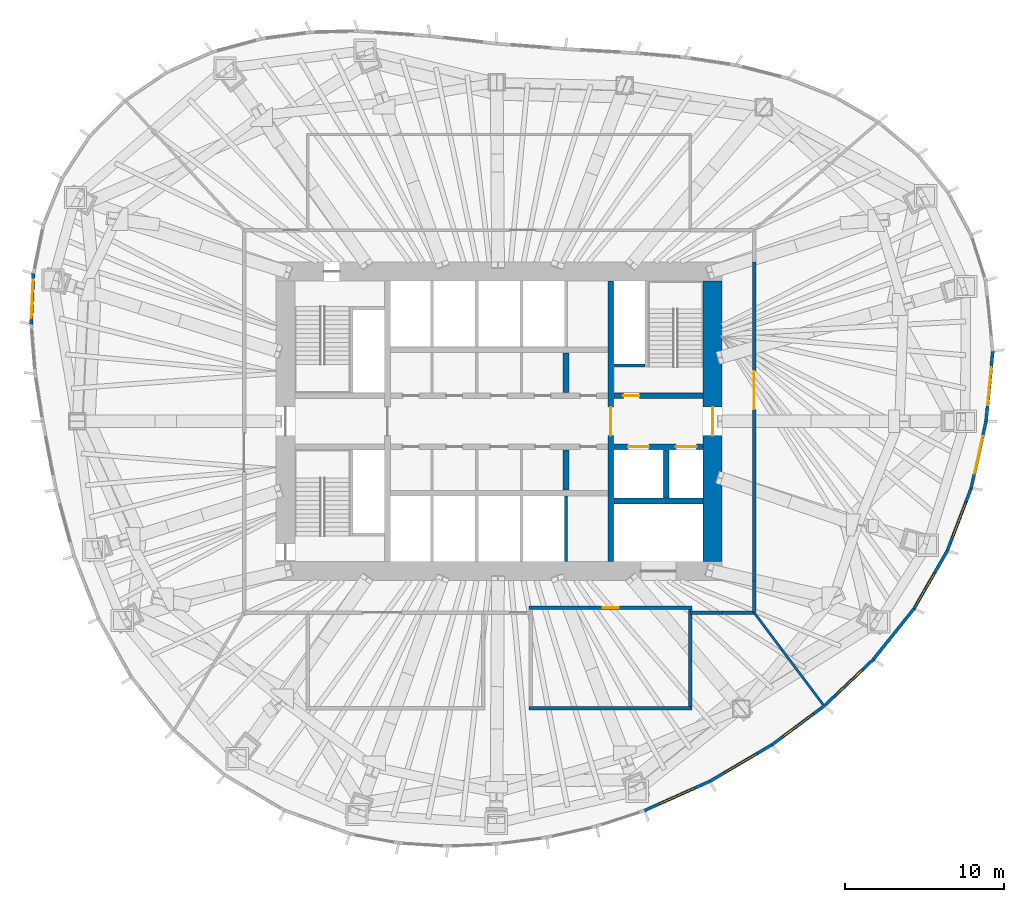
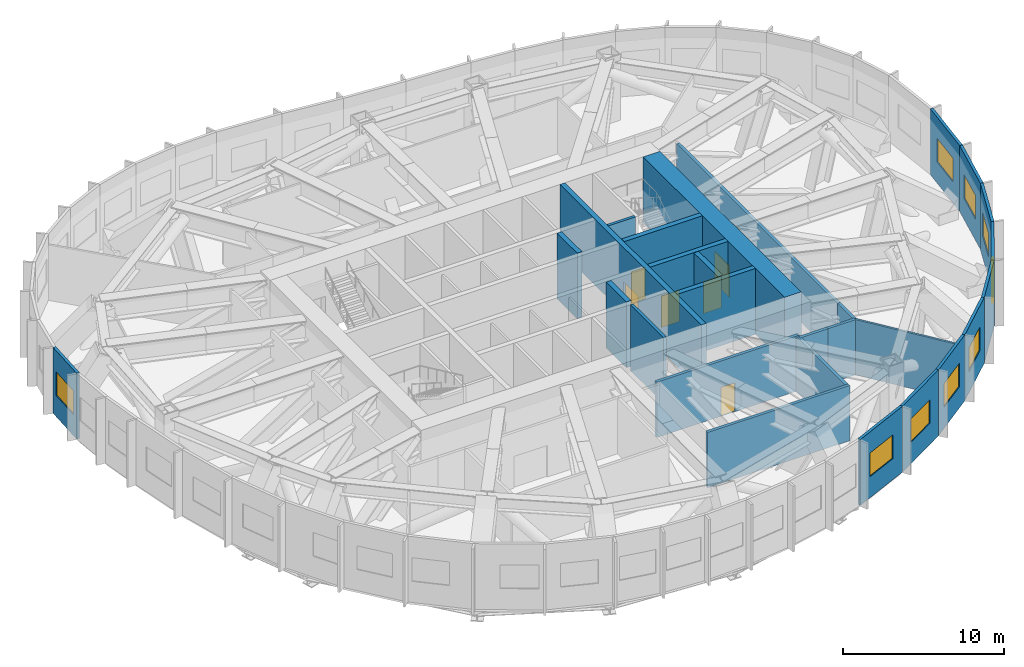
# One storey, part 8 of 12: 28 walls, 9 windows, 7 doors, 16 openings.
"""IFC4 building model written with IfcOpenShell, lengths in metres."""

from ifc_helpers import new_model, si_unit, direction, frame, frame_2d, origin, place, context, subcontext, project, spatial, rectangle, extrude, material, layer, layer_set, type_object, element, fill, save


model = new_model("IFC4")

# Units and contexts
model_context = context("Model", 3, precision=1e-05, world=origin(), true_north=direction((0.0, 1.0)))
body_context = subcontext(model_context, "Body", "Model", "MODEL_VIEW")
ifc_project = project(units=[si_unit("LENGTHUNIT", "METRE"), si_unit("AREAUNIT", "SQUARE_METRE"), si_unit("VOLUMEUNIT", "CUBIC_METRE"), si_unit("PLANEANGLEUNIT", "RADIAN"), si_unit("MASSUNIT", "GRAM", prefix="KILO")], contexts=[model_context])

# Site, building, storey
site_placement = place(None, origin())
site = spatial("IfcSite", under=ifc_project, at=site_placement, CompositionType="ELEMENT")
building_placement = place(site_placement, origin())
building = spatial("IfcBuilding", under=site, at=building_placement, Name="Ghaith Harvest Tower", CompositionType="ELEMENT")
storey_placement = place(building_placement, frame((0.0, 0.0, 189.800048828125)))
storey = spatial("IfcBuildingStorey", under=building, at=storey_placement, Name="L41", CompositionType="ELEMENT", Elevation=189.800048828125)

# Wall
ifc_material_1 = material(Name="Concrete blockwork, 1-hour", Category="masonry")
ifc_layer_1 = layer(ifc_material_1, 0.215087890625)
ifc_layer_set_1 = layer_set([ifc_layer_1], Name="BLOCKWORK WALL 215")
wall_type_1 = type_object("IfcWallType", Name="BLOCKWORK WALL 215", PredefinedType="PARTITIONING", material=ifc_layer_set_1)
wall_1_placement = place(storey_placement, frame((16.0, -12.0, 0.0), z_axis=(0.0, 0.0, 1.0), x_axis=(0.0, 1.0, 0.0)))
element("IfcWall", 1, at=wall_1_placement, inside=storey, type_object=wall_type_1, Name="Plant room wall L41", PredefinedType="PARTITIONING", context=body_context, shape_type="SweptSolid", body=[
    extrude(rectangle(XDim=2.0, YDim=0.215087890625, at=frame_2d((1.0, 0.0))), origin(), (0.0, 0.0, 1.0), 4.199951171875),
])

# Wall, opening, door
wall_2_placement = place(storey_placement, frame((16.0, -10.0, 0.0), z_axis=(0.0, 0.0, 1.0), x_axis=(0.0, 1.0, 0.0)))
wall_2 = element("IfcWall", 2, at=wall_2_placement, inside=storey, type_object=wall_type_1, Name="Plant room wall L41", PredefinedType="PARTITIONING", context=body_context, shape_type="SweptSolid", body=[
    extrude(rectangle(XDim=20.0, YDim=0.215087890625, at=frame_2d((10.0, 0.0))), origin(), (0.0, 0.0, 1.0), 4.199951171875),
])
opening_1_placement = place(wall_2_placement, frame((10.75, 0.0, 0.0)))
opening_1 = element("IfcOpeningElement", 3, at=opening_1_placement, cuts=wall_2, Name="Opening 41-025", PredefinedType="OPENING", context=body_context, shape_type="SweptSolid", body=[
    extrude(rectangle(XDim=2.39990234375, YDim=2.39990234375, at=frame_2d((1.199951171875, 1.199951171875))), frame((0.0, 0.11767578125, 0.0), z_axis=(0.0, -1.0, 0.0), x_axis=(1.0, 0.0, 0.0)), (0.0, 0.0, 1.0), 0.235107421875),
])
ifc_material_2 = material(Name="Timber door", Category="wood")
door_type_1 = type_object("IfcDoorType", Name="D10 PLANT PAIR 2400x2400", OperationType="DOUBLE_DOOR_SINGLE_SWING", PredefinedType="DOOR", material=ifc_material_2)
door_1_placement = place(opening_1_placement, origin())
door_1 = element("IfcDoor", 4, at=door_1_placement, inside=storey, type_object=door_type_1, Name="Chilled water plant room east door", OperationType="DOUBLE_DOOR_SINGLE_SWING", OverallHeight=2.39990234375, OverallWidth=2.39990234375, PredefinedType="DOOR", context=body_context, shape_type="SweptSolid", body=[
    extrude(rectangle(XDim=2.39990234375, YDim=2.39990234375, at=frame_2d((1.199951171875, 1.199951171875))), frame((0.0, 0.02490234375, 0.0), z_axis=(0.0, -1.0, 0.0), x_axis=(1.0, 0.0, 0.0)), (0.0, 0.0, 1.0), 0.050048828125),
])
fill(opening_1, door_1)

# Walls
for number, where, z_axis, x_axis, name in (
    (5, (12.0, -12.0, 0.0), (0.0, 0.0, 1.0), (1.0, 0.0, 0.0), "Plant room wall L41"),
    (6, (14.0, -12.0, 0.0), (0.0, 0.0, 1.0), (1.0, 0.0, 0.0), "Plant room wall L41"),
):
    element("IfcWall", number, at=place(storey_placement, frame(where, z_axis=z_axis, x_axis=x_axis)), inside=storey, type_object=wall_type_1, Name=name, PredefinedType="PARTITIONING", context=body_context, shape_type="SweptSolid", body=[
        extrude(rectangle(XDim=2.0, YDim=0.215087890625, at=frame_2d((1.0, 0.0))), origin(), (0.0, 0.0, 1.0), 4.199951171875),
    ])
wall_3_placement = place(storey_placement, frame((1.892578125, -18.0, 0.0), z_axis=(0.0, 0.0, 1.0), x_axis=(1.0, 0.0, 0.0)))
element("IfcWall", 7, at=wall_3_placement, inside=storey, type_object=wall_type_1, Name="Partition L41-03", PredefinedType="PARTITIONING", context=body_context, shape_type="SweptSolid", body=[
    extrude(rectangle(XDim=10.21484375, YDim=0.215087890625, at=frame_2d((5.107421875, 0.0))), origin(), (0.0, 0.0, 1.0), 4.199951171875),
])

# Wall, opening, door
wall_4_placement = place(storey_placement, frame((1.892578125, -11.699951171875, 0.0), z_axis=(0.0, 0.0, 1.0), x_axis=(1.0, 0.0, 0.0)))
wall_4 = element("IfcWall", 8, at=wall_4_placement, inside=storey, type_object=wall_type_1, Name="Partition L41-03", PredefinedType="PARTITIONING", context=body_context, shape_type="SweptSolid", body=[
    extrude(rectangle(XDim=10.21484375, YDim=0.215087890625, at=frame_2d((5.107421875, 0.0))), origin(), (0.0, 0.0, 1.0), 4.199951171875),
])
opening_2_placement = place(wall_4_placement, frame((4.607421875, 0.0, 0.0)))
opening_2 = element("IfcOpeningElement", 9, at=opening_2_placement, cuts=wall_4, Name="Opening 41-023", PredefinedType="OPENING", context=body_context, shape_type="SweptSolid", body=[
    extrude(rectangle(XDim=1.0, YDim=2.199951171875, at=frame_2d((0.5, 1.10009765625))), frame((0.0, 0.11767578125, 0.0), z_axis=(0.0, -1.0, 0.0), x_axis=(1.0, 0.0, 0.0)), (0.0, 0.0, 1.0), 0.235107421875),
])
ifc_material_3 = material(Name="Timber door", Category="wood")
door_type_2 = type_object("IfcDoorType", Name="D1 SINGLE 1000x2200", OperationType="SINGLE_SWING_LEFT", PredefinedType="DOOR", material=ifc_material_3)
door_2_placement = place(opening_2_placement, origin())
door_2 = element("IfcDoor", 10, at=door_2_placement, inside=storey, type_object=door_type_2, Name="Electrical switch room door", OperationType="SINGLE_SWING_LEFT", OverallHeight=2.199951171875, OverallWidth=1.0, PredefinedType="DOOR", context=body_context, shape_type="SweptSolid", body=[
    extrude(rectangle(XDim=1.0, YDim=2.199951171875, at=frame_2d((0.5, 1.10009765625))), frame((0.0, 0.02490234375, 0.0), z_axis=(0.0, -1.0, 0.0), x_axis=(1.0, 0.0, 0.0)), (0.0, 0.0, 1.0), 0.050048828125),
])
fill(opening_2, door_2)

# Wall
wall_5_placement = place(storey_placement, frame((12.0, -17.892578125, 0.0), z_axis=(0.0, 0.0, 1.0), x_axis=(0.0, 1.0, 0.0)))
element("IfcWall", 11, at=wall_5_placement, inside=storey, type_object=wall_type_1, Name="Partition L41-03", PredefinedType="PARTITIONING", context=body_context, shape_type="SweptSolid", body=[
    extrude(rectangle(XDim=6.0849609375, YDim=0.215087890625, at=frame_2d((3.04248046875, 0.0))), origin(), (0.0, 0.0, 1.0), 4.199951171875),
])

# Wall, opening, door
ifc_material_4 = material(Name="Concrete C60/75", Category="concrete")
ifc_layer_2 = layer(ifc_material_4, 1.199951171875)
ifc_layer_set_2 = layer_set([ifc_layer_2], Name="CORE WALL CW1200 C60")
wall_type_2 = type_object("IfcWallType", Name="CORE WALL CW1200 C60", PredefinedType="SHEAR", material=ifc_layer_set_2)
wall_6_placement = place(storey_placement, frame((13.39990234375, -8.800048828125, 0.0), z_axis=(0.0, 0.0, 1.0), x_axis=(0.0, 1.0, 0.0)))
wall_6 = element("IfcWall", 12, at=wall_6_placement, inside=storey, type_object=wall_type_2, Name="Core wall E L41", PredefinedType="SHEAR", context=body_context, shape_type="SweptSolid", body=[
    extrude(rectangle(XDim=17.60009765625, YDim=1.199951171875, at=frame_2d((8.800048828125, 0.0))), origin(), (0.0, 0.0, 1.0), 5.0),
])
opening_3_placement = place(wall_6_placement, frame((7.89990234375, 0.0, 0.0)))
opening_3 = element("IfcOpeningElement", 13, at=opening_3_placement, cuts=wall_6, Name="Opening 41-002", PredefinedType="OPENING", context=body_context, shape_type="SweptSolid", body=[
    extrude(rectangle(XDim=1.800048828125, YDim=2.39990234375, at=frame_2d((0.89990234375, 1.199951171875))), frame((0.0, 0.60986328125, 0.0), z_axis=(0.0, -1.0, 0.0), x_axis=(1.0, 0.0, 0.0)), (0.0, 0.0, 1.0), 1.219970703125),
])
ifc_material_5 = material(Name="Steel fire door", Category="steel")
door_type_3 = type_object("IfcDoorType", Name="D4 FD90 PAIR 1800x2400", OperationType="DOUBLE_DOOR_SINGLE_SWING", PredefinedType="DOOR", material=ifc_material_5)
door_3_placement = place(opening_3_placement, origin())
door_3 = element("IfcDoor", 14, at=door_3_placement, inside=storey, type_object=door_type_3, Name="Fire-fighting lobby doors", OperationType="DOUBLE_DOOR_SINGLE_SWING", OverallHeight=2.39990234375, OverallWidth=1.800048828125, PredefinedType="DOOR", context=body_context, shape_type="SweptSolid", body=[
    extrude(rectangle(XDim=1.800048828125, YDim=2.39990234375, at=frame_2d((0.89990234375, 1.199951171875))), frame((0.0, 0.02490234375, 0.0), z_axis=(0.0, -1.0, 0.0), x_axis=(1.0, 0.0, 0.0)), (0.0, 0.0, 1.0), 0.050048828125),
])
fill(opening_3, door_3)

# Walls
ifc_material_6 = material(Name="Concrete blockwork, 2-hour", Category="masonry")
ifc_layer_3 = layer(ifc_material_6, 0.199951171875)
ifc_layer_set_3 = layer_set([ifc_layer_3], Name="LIFT SHAFT WALL 200")
wall_type_3 = type_object("IfcWallType", Name="LIFT SHAFT WALL 200", PredefinedType="PARTITIONING", material=ifc_layer_set_3)
wall_7_placement = place(storey_placement, frame((4.199951171875, -4.699951171875, 0.0), z_axis=(0.0, 0.0, 1.0), x_axis=(0.0, -1.0, 0.0)))
element("IfcWall", 15, at=wall_7_placement, inside=storey, type_object=wall_type_3, Name="Lift shaft wall L41", PredefinedType="PARTITIONING", context=body_context, shape_type="SweptSolid", body=[
    extrude(rectangle(XDim=4.10009765625, YDim=0.199951171875, at=frame_2d((2.050048828125, 0.0))), origin(), (0.0, 0.0, 1.0), 5.0),
])
ifc_material_7 = material(Name="Gypsum board on steel studs", Category="steel")
ifc_layer_4 = layer(ifc_material_7, 0.14990234375)
ifc_layer_set_4 = layer_set([ifc_layer_4], Name="PARTITION 150")
wall_type_4 = type_object("IfcWallType", Name="PARTITION 150", PredefinedType="PARTITIONING", material=ifc_layer_set_4)
wall_8_placement = place(storey_placement, frame((16.011962890625, -12.01611328125, 0.0), z_axis=(0.0, 0.0, 1.0), x_axis=(0.600059749679, -0.799955184254, 0.0)))
element("IfcWall", 16, at=wall_8_placement, inside=storey, type_object=wall_type_4, Name="Partition L41 zone division", PredefinedType="PARTITIONING", context=body_context, shape_type="SweptSolid", body=[
    extrude(rectangle(XDim=7.191162109375, YDim=0.14990234375, at=frame_2d((3.595703125, 0.0))), origin(), (0.0, 0.0, 1.0), 4.199951171875),
])

# Wall, opening, window
ifc_material_8 = material(Name="Steel, black insulated metal cladding panel", Category="steel")
ifc_layer_5 = layer(ifc_material_8, 0.199951171875)
ifc_layer_set_5 = layer_set([ifc_layer_5], Name="PLANT ENCLOSURE WALL 200")
wall_type_5 = type_object("IfcWallType", Name="PLANT ENCLOSURE WALL 200", PredefinedType="SOLIDWALL", material=ifc_layer_set_5)
wall_9_placement = place(storey_placement, frame((30.558837890625, 0.0, 0.0), z_axis=(0.0, 0.0, 1.0), x_axis=(0.095339778548, 0.995444788337, 0.0)))
wall_9 = element("IfcWall", 17, at=wall_9_placement, inside=storey, type_object=wall_type_5, Name="Plant enclosure wall 01.1 L41", PredefinedType="SOLIDWALL", context=body_context, shape_type="SweptSolid", body=[
    extrude(rectangle(XDim=4.406982421875, YDim=0.199951171875, at=frame_2d((2.20361328125, 0.0))), origin(), (0.0, 0.0, 1.0), 5.0),
])
opening_4_placement = place(wall_9_placement, frame((1.00341796875, 0.0, 1.60009765625)))
opening_4 = element("IfcOpeningElement", 18, at=opening_4_placement, cuts=wall_9, Name="Opening LV1", PredefinedType="OPENING", context=body_context, shape_type="SweptSolid", body=[
    extrude(rectangle(XDim=2.39990234375, YDim=1.800048828125, at=frame_2d((1.199951171875, 0.89990234375))), frame((0.0, 0.10986328125, 0.0), z_axis=(0.0, -1.0, 0.0), x_axis=(1.0, 0.0, 0.0)), (0.0, 0.0, 1.0), 0.219970703125),
])
ifc_material_9 = material(Name="Aluminium louvre, black", Category="aluminium")
window_type = type_object("IfcWindowType", Name="LOUVRE L1 2400x1800", PartitioningType="SINGLE_PANEL", PredefinedType="WINDOW", material=ifc_material_9)
window_1_placement = place(opening_4_placement, origin())
window_1 = element("IfcWindow", 19, at=window_1_placement, inside=storey, type_object=window_type, Name="Plant louvre 01.1 L41", OverallHeight=1.800048828125, OverallWidth=2.39990234375, PartitioningType="SINGLE_PANEL", PredefinedType="WINDOW", context=body_context, shape_type="SweptSolid", body=[
    extrude(rectangle(XDim=2.39990234375, YDim=1.800048828125, at=frame_2d((1.199951171875, 0.89990234375))), frame((0.0, 0.030029296875, 0.0), z_axis=(0.0, -1.0, 0.0), x_axis=(1.0, 0.0, 0.0)), (0.0, 0.0, 1.0), 0.06005859375),
])
fill(opening_4, window_1)

wall_10_placement = place(storey_placement, frame((-29.221923828125, 9.260986328125, 0.0), z_axis=(0.0, 0.0, 1.0), x_axis=(-0.043026373703, -0.999073936786, 0.0)))
wall_10 = element("IfcWall", 20, at=wall_10_placement, inside=storey, type_object=wall_type_5, Name="Plant enclosure wall 10.1 L41", PredefinedType="SOLIDWALL", context=body_context, shape_type="SweptSolid", body=[
    extrude(rectangle(XDim=3.171875, YDim=0.199951171875, at=frame_2d((1.5859375, 0.0))), origin(), (0.0, 0.0, 1.0), 5.0),
])
opening_5_placement = place(wall_10_placement, frame((0.385986328125, 0.0, 1.60009765625)))
opening_5 = element("IfcOpeningElement", 21, at=opening_5_placement, cuts=wall_10, Name="Opening LV1", PredefinedType="OPENING", context=body_context, shape_type="SweptSolid", body=[
    extrude(rectangle(XDim=2.39990234375, YDim=1.800048828125, at=frame_2d((1.199951171875, 0.89990234375))), frame((0.0, 0.10986328125, 0.0), z_axis=(0.0, -1.0, 0.0), x_axis=(1.0, 0.0, 0.0)), (0.0, 0.0, 1.0), 0.219970703125),
])
window_2_placement = place(opening_5_placement, origin())
window_2 = element("IfcWindow", 22, at=window_2_placement, inside=storey, type_object=window_type, Name="Plant louvre 10.1 L41", OverallHeight=1.800048828125, OverallWidth=2.39990234375, PartitioningType="SINGLE_PANEL", PredefinedType="WINDOW", context=body_context, shape_type="SweptSolid", body=[
    extrude(rectangle(XDim=2.39990234375, YDim=1.800048828125, at=frame_2d((1.199951171875, 0.89990234375))), frame((0.0, 0.030029296875, 0.0), z_axis=(0.0, -1.0, 0.0), x_axis=(1.0, 0.0, 0.0)), (0.0, 0.0, 1.0), 0.06005859375),
])
fill(opening_5, window_2)

wall_11_placement = place(storey_placement, frame((9.129150390625, -24.42041015625, 0.0), z_axis=(0.0, 0.0, 1.0), x_axis=(0.913139696148, 0.407646777638, 0.0)))
wall_11 = element("IfcWall", 23, at=wall_11_placement, inside=storey, type_object=wall_type_5, Name="Plant enclosure wall 17.1 L41", PredefinedType="SOLIDWALL", context=body_context, shape_type="SweptSolid", body=[
    extrude(rectangle(XDim=4.473876953125, YDim=0.199951171875, at=frame_2d((2.23681640625, 0.0))), origin(), (0.0, 0.0, 1.0), 5.0),
])
opening_6_placement = place(wall_11_placement, frame((1.036865234375, 0.0, 1.60009765625)))
opening_6 = element("IfcOpeningElement", 24, at=opening_6_placement, cuts=wall_11, Name="Opening LV1", PredefinedType="OPENING", context=body_context, shape_type="SweptSolid", body=[
    extrude(rectangle(XDim=2.39990234375, YDim=1.800048828125, at=frame_2d((1.199951171875, 0.89990234375))), frame((0.0, 0.10986328125, 0.0), z_axis=(0.0, -1.0, 0.0), x_axis=(1.0, 0.0, 0.0)), (0.0, 0.0, 1.0), 0.219970703125),
])
window_3_placement = place(opening_6_placement, origin())
window_3 = element("IfcWindow", 25, at=window_3_placement, inside=storey, type_object=window_type, Name="Plant louvre 17.1 L41", OverallHeight=1.800048828125, OverallWidth=2.39990234375, PartitioningType="SINGLE_PANEL", PredefinedType="WINDOW", context=body_context, shape_type="SweptSolid", body=[
    extrude(rectangle(XDim=2.39990234375, YDim=1.800048828125, at=frame_2d((1.199951171875, 0.89990234375))), frame((0.0, 0.030029296875, 0.0), z_axis=(0.0, -1.0, 0.0), x_axis=(1.0, 0.0, 0.0)), (0.0, 0.0, 1.0), 0.06005859375),
])
fill(opening_6, window_3)

wall_12_placement = place(storey_placement, frame((13.21435546875, -22.5966796875, 0.0), z_axis=(0.0, 0.0, 1.0), x_axis=(0.862020109982, 0.506874077051, 0.0)))
wall_12 = element("IfcWall", 26, at=wall_12_placement, inside=storey, type_object=wall_type_5, Name="Plant enclosure wall 17.2 L41", PredefinedType="SOLIDWALL", context=body_context, shape_type="SweptSolid", body=[
    extrude(rectangle(XDim=4.529541015625, YDim=0.199951171875, at=frame_2d((2.2646484375, 0.0))), origin(), (0.0, 0.0, 1.0), 5.0),
])
opening_7_placement = place(wall_12_placement, frame((1.064697265625, 0.0, 1.60009765625)))
opening_7 = element("IfcOpeningElement", 27, at=opening_7_placement, cuts=wall_12, Name="Opening LV1", PredefinedType="OPENING", context=body_context, shape_type="SweptSolid", body=[
    extrude(rectangle(XDim=2.39990234375, YDim=1.800048828125, at=frame_2d((1.199951171875, 0.89990234375))), frame((0.0, 0.10986328125, 0.0), z_axis=(0.0, -1.0, 0.0), x_axis=(1.0, 0.0, 0.0)), (0.0, 0.0, 1.0), 0.219970703125),
])
window_4_placement = place(opening_7_placement, origin())
window_4 = element("IfcWindow", 28, at=window_4_placement, inside=storey, type_object=window_type, Name="Plant louvre 17.2 L41", OverallHeight=1.800048828125, OverallWidth=2.39990234375, PartitioningType="SINGLE_PANEL", PredefinedType="WINDOW", context=body_context, shape_type="SweptSolid", body=[
    extrude(rectangle(XDim=2.39990234375, YDim=1.800048828125, at=frame_2d((1.199951171875, 0.89990234375))), frame((0.0, 0.030029296875, 0.0), z_axis=(0.0, -1.0, 0.0), x_axis=(1.0, 0.0, 0.0)), (0.0, 0.0, 1.0), 0.06005859375),
])
fill(opening_7, window_4)

wall_13_placement = place(storey_placement, frame((17.118896484375, -20.30078125, 0.0), z_axis=(0.0, 0.0, 1.0), x_axis=(0.802511242032, 0.596636997187, 0.0)))
wall_13 = element("IfcWall", 29, at=wall_13_placement, inside=storey, type_object=wall_type_5, Name="Plant enclosure wall 18.1 L41", PredefinedType="SOLIDWALL", context=body_context, shape_type="SweptSolid", body=[
    extrude(rectangle(XDim=4.106689453125, YDim=0.199951171875, at=frame_2d((2.05322265625, 0.0))), origin(), (0.0, 0.0, 1.0), 5.0),
])
opening_8_placement = place(wall_13_placement, frame((0.853271484375, 0.0, 1.60009765625)))
opening_8 = element("IfcOpeningElement", 30, at=opening_8_placement, cuts=wall_13, Name="Opening LV1", PredefinedType="OPENING", context=body_context, shape_type="SweptSolid", body=[
    extrude(rectangle(XDim=2.39990234375, YDim=1.800048828125, at=frame_2d((1.199951171875, 0.89990234375))), frame((0.0, 0.10986328125, 0.0), z_axis=(0.0, -1.0, 0.0), x_axis=(1.0, 0.0, 0.0)), (0.0, 0.0, 1.0), 0.219970703125),
])
window_5_placement = place(opening_8_placement, origin())
window_5 = element("IfcWindow", 31, at=window_5_placement, inside=storey, type_object=window_type, Name="Plant louvre 18.1 L41", OverallHeight=1.800048828125, OverallWidth=2.39990234375, PartitioningType="SINGLE_PANEL", PredefinedType="WINDOW", context=body_context, shape_type="SweptSolid", body=[
    extrude(rectangle(XDim=2.39990234375, YDim=1.800048828125, at=frame_2d((1.199951171875, 0.89990234375))), frame((0.0, 0.030029296875, 0.0), z_axis=(0.0, -1.0, 0.0), x_axis=(1.0, 0.0, 0.0)), (0.0, 0.0, 1.0), 0.06005859375),
])
fill(opening_8, window_5)

wall_14_placement = place(storey_placement, frame((20.41455078125, -17.8505859375, 0.0), z_axis=(0.0, 0.0, 1.0), x_axis=(0.726389692906, 0.687283066894, 0.0)))
wall_14 = element("IfcWall", 32, at=wall_14_placement, inside=storey, type_object=wall_type_5, Name="Plant enclosure wall 18.2 L41", PredefinedType="SOLIDWALL", context=body_context, shape_type="SweptSolid", body=[
    extrude(rectangle(XDim=4.2265625, YDim=0.199951171875, at=frame_2d((2.11328125, 0.0))), origin(), (0.0, 0.0, 1.0), 5.0),
])
opening_9_placement = place(wall_14_placement, frame((0.9130859375, 0.0, 1.60009765625)))
opening_9 = element("IfcOpeningElement", 33, at=opening_9_placement, cuts=wall_14, Name="Opening LV1", PredefinedType="OPENING", context=body_context, shape_type="SweptSolid", body=[
    extrude(rectangle(XDim=2.39990234375, YDim=1.800048828125, at=frame_2d((1.199951171875, 0.89990234375))), frame((0.0, 0.10986328125, 0.0), z_axis=(0.0, -1.0, 0.0), x_axis=(1.0, 0.0, 0.0)), (0.0, 0.0, 1.0), 0.219970703125),
])
window_6_placement = place(opening_9_placement, origin())
window_6 = element("IfcWindow", 34, at=window_6_placement, inside=storey, type_object=window_type, Name="Plant louvre 18.2 L41", OverallHeight=1.800048828125, OverallWidth=2.39990234375, PartitioningType="SINGLE_PANEL", PredefinedType="WINDOW", context=body_context, shape_type="SweptSolid", body=[
    extrude(rectangle(XDim=2.39990234375, YDim=1.800048828125, at=frame_2d((1.199951171875, 0.89990234375))), frame((0.0, 0.030029296875, 0.0), z_axis=(0.0, -1.0, 0.0), x_axis=(1.0, 0.0, 0.0)), (0.0, 0.0, 1.0), 0.06005859375),
])
fill(opening_9, window_6)

# Wall
wall_15_placement = place(storey_placement, frame((23.484619140625, -14.94580078125, 0.0), z_axis=(0.0, 0.0, 1.0), x_axis=(0.625008242273, 0.780618150628, 0.0)))
element("IfcWall", 35, at=wall_15_placement, inside=storey, type_object=wall_type_5, Name="Plant enclosure wall 19.1 L41", PredefinedType="SOLIDWALL", context=body_context, shape_type="SweptSolid", body=[
    extrude(rectangle(XDim=4.087158203125, YDim=0.199951171875, at=frame_2d((2.04345703125, 0.0))), origin(), (0.0, 0.0, 1.0), 5.0),
])

# Wall, opening, window
wall_16_placement = place(storey_placement, frame((26.0390625, -11.75537109375, 0.0), z_axis=(0.0, 0.0, 1.0), x_axis=(0.499089259287, 0.866550582058, 0.0)))
wall_16 = element("IfcWall", 36, at=wall_16_placement, inside=storey, type_object=wall_type_5, Name="Plant enclosure wall 19.2 L41", PredefinedType="SOLIDWALL", context=body_context, shape_type="SweptSolid", body=[
    extrude(rectangle(XDim=4.184326171875, YDim=0.199951171875, at=frame_2d((2.09228515625, 0.0))), origin(), (0.0, 0.0, 1.0), 5.0),
])
opening_10_placement = place(wall_16_placement, frame((0.190673828125, 0.0, 1.60009765625)))
opening_10 = element("IfcOpeningElement", 37, at=opening_10_placement, cuts=wall_16, Name="Opening LV1", PredefinedType="OPENING", context=body_context, shape_type="SweptSolid", body=[
    extrude(rectangle(XDim=2.39990234375, YDim=1.800048828125, at=frame_2d((1.199951171875, 0.89990234375))), frame((0.0, 0.10986328125, 0.0), z_axis=(0.0, -1.0, 0.0), x_axis=(1.0, 0.0, 0.0)), (0.0, 0.0, 1.0), 0.219970703125),
])
window_7_placement = place(opening_10_placement, origin())
window_7 = element("IfcWindow", 38, at=window_7_placement, inside=storey, type_object=window_type, Name="Plant louvre 19.2 L41", OverallHeight=1.800048828125, OverallWidth=2.39990234375, PartitioningType="SINGLE_PANEL", PredefinedType="WINDOW", context=body_context, shape_type="SweptSolid", body=[
    extrude(rectangle(XDim=2.39990234375, YDim=1.800048828125, at=frame_2d((1.199951171875, 0.89990234375))), frame((0.0, 0.030029296875, 0.0), z_axis=(0.0, -1.0, 0.0), x_axis=(1.0, 0.0, 0.0)), (0.0, 0.0, 1.0), 0.06005859375),
])
fill(opening_10, window_7)

wall_17_placement = place(storey_placement, frame((28.12744140625, -8.12939453125, 0.0), z_axis=(0.0, 0.0, 1.0), x_axis=(0.356012208341, 0.934481303993, 0.0)))
wall_17 = element("IfcWall", 39, at=wall_17_placement, inside=storey, type_object=wall_type_5, Name="Plant enclosure wall 20.1 L41", PredefinedType="SOLIDWALL", context=body_context, shape_type="SweptSolid", body=[
    extrude(rectangle(XDim=4.2099609375, YDim=0.199951171875, at=frame_2d((2.10498046875, 0.0))), origin(), (0.0, 0.0, 1.0), 5.0),
])
opening_11_placement = place(wall_17_placement, frame((0.90478515625, 0.0, 1.60009765625)))
opening_11 = element("IfcOpeningElement", 40, at=opening_11_placement, cuts=wall_17, Name="Opening LV1", PredefinedType="OPENING", context=body_context, shape_type="SweptSolid", body=[
    extrude(rectangle(XDim=2.39990234375, YDim=1.800048828125, at=frame_2d((1.199951171875, 0.89990234375))), frame((0.0, 0.10986328125, 0.0), z_axis=(0.0, -1.0, 0.0), x_axis=(1.0, 0.0, 0.0)), (0.0, 0.0, 1.0), 0.219970703125),
])
window_8_placement = place(opening_11_placement, origin())
window_8 = element("IfcWindow", 41, at=window_8_placement, inside=storey, type_object=window_type, Name="Plant louvre 20.1 L41", OverallHeight=1.800048828125, OverallWidth=2.39990234375, PartitioningType="SINGLE_PANEL", PredefinedType="WINDOW", context=body_context, shape_type="SweptSolid", body=[
    extrude(rectangle(XDim=2.39990234375, YDim=1.800048828125, at=frame_2d((1.199951171875, 0.89990234375))), frame((0.0, 0.030029296875, 0.0), z_axis=(0.0, -1.0, 0.0), x_axis=(1.0, 0.0, 0.0)), (0.0, 0.0, 1.0), 0.06005859375),
])
fill(opening_11, window_8)

wall_18_placement = place(storey_placement, frame((29.626220703125, -4.1953125, 0.0), z_axis=(0.0, 0.0, 1.0), x_axis=(0.217002635497, 0.9761710179, 0.0)))
wall_18 = element("IfcWall", 42, at=wall_18_placement, inside=storey, type_object=wall_type_5, Name="Plant enclosure wall 20.2 L41", PredefinedType="SOLIDWALL", context=body_context, shape_type="SweptSolid", body=[
    extrude(rectangle(XDim=4.297607421875, YDim=0.199951171875, at=frame_2d((2.14892578125, 0.0))), origin(), (0.0, 0.0, 1.0), 5.0),
])
opening_12_placement = place(wall_18_placement, frame((0.948974609375, 0.0, 1.60009765625)))
opening_12 = element("IfcOpeningElement", 43, at=opening_12_placement, cuts=wall_18, Name="Opening LV1", PredefinedType="OPENING", context=body_context, shape_type="SweptSolid", body=[
    extrude(rectangle(XDim=2.39990234375, YDim=1.800048828125, at=frame_2d((1.199951171875, 0.89990234375))), frame((0.0, 0.10986328125, 0.0), z_axis=(0.0, -1.0, 0.0), x_axis=(1.0, 0.0, 0.0)), (0.0, 0.0, 1.0), 0.219970703125),
])
window_9_placement = place(opening_12_placement, origin())
window_9 = element("IfcWindow", 44, at=window_9_placement, inside=storey, type_object=window_type, Name="Plant louvre 20.2 L41", OverallHeight=1.800048828125, OverallWidth=2.39990234375, PartitioningType="SINGLE_PANEL", PredefinedType="WINDOW", context=body_context, shape_type="SweptSolid", body=[
    extrude(rectangle(XDim=2.39990234375, YDim=1.800048828125, at=frame_2d((1.199951171875, 0.89990234375))), frame((0.0, 0.030029296875, 0.0), z_axis=(0.0, -1.0, 0.0), x_axis=(1.0, 0.0, 0.0)), (0.0, 0.0, 1.0), 0.06005859375),
])
fill(opening_12, window_9)

# Wall, opening, door
ifc_material_10 = material(Name="Concrete C60/75", Category="concrete")
ifc_layer_6 = layer(ifc_material_10, 0.35009765625)
ifc_layer_set_6 = layer_set([ifc_layer_6], Name="SHAFT WALL 350")
wall_type_6 = type_object("IfcWallType", Name="SHAFT WALL 350", PredefinedType="SHEAR", material=ifc_layer_set_6)
wall_19_placement = place(storey_placement, frame((7.0, -8.800048828125, 0.0), z_axis=(0.0, 0.0, 1.0), x_axis=(0.0, 1.0, 0.0)))
wall_19 = element("IfcWall", 45, at=wall_19_placement, inside=storey, type_object=wall_type_6, Name="Shaft wall W7E L41", PredefinedType="SHEAR", context=body_context, shape_type="SweptSolid", body=[
    extrude(rectangle(XDim=17.60009765625, YDim=0.35009765625, at=frame_2d((8.800048828125, 0.0))), origin(), (0.0, 0.0, 1.0), 5.0),
])
opening_13_placement = place(wall_19_placement, frame((7.89990234375, 0.0, 0.0)))
opening_13 = element("IfcOpeningElement", 46, at=opening_13_placement, cuts=wall_19, Name="Opening 41-004", PredefinedType="OPENING", context=body_context, shape_type="SweptSolid", body=[
    extrude(rectangle(XDim=1.800048828125, YDim=2.39990234375, at=frame_2d((0.89990234375, 1.199951171875))), frame((0.0, 0.18505859375, 0.0), z_axis=(0.0, -1.0, 0.0), x_axis=(1.0, 0.0, 0.0)), (0.0, 0.0, 1.0), 0.3701171875),
])
door_4_placement = place(opening_13_placement, origin())
door_4 = element("IfcDoor", 47, at=door_4_placement, inside=storey, type_object=door_type_3, Name="Lift lobby doors, east", OperationType="DOUBLE_DOOR_SINGLE_SWING", OverallHeight=2.39990234375, OverallWidth=1.800048828125, PredefinedType="DOOR", context=body_context, shape_type="SweptSolid", body=[
    extrude(rectangle(XDim=1.800048828125, YDim=2.39990234375, at=frame_2d((0.89990234375, 1.199951171875))), frame((0.0, 0.02490234375, 0.0), z_axis=(0.0, -1.0, 0.0), x_axis=(1.0, 0.0, 0.0)), (0.0, 0.0, 1.0), 0.050048828125),
])
fill(opening_13, door_4)

wall_20_placement = place(storey_placement, frame((7.199951171875, 1.60009765625, 0.0), z_axis=(0.0, 0.0, 1.0), x_axis=(1.0, 0.0, 0.0)))
wall_20 = element("IfcWall", 48, at=wall_20_placement, inside=storey, type_object=wall_type_6, Name="Shaft wall EN L41", PredefinedType="SHEAR", context=body_context, shape_type="SweptSolid", body=[
    extrude(rectangle(XDim=5.60009765625, YDim=0.35009765625, at=frame_2d((2.800048828125, 0.0))), origin(), (0.0, 0.0, 1.0), 5.0),
])
opening_14_placement = place(wall_20_placement, frame((0.60009765625, 0.0, 0.0)))
opening_14 = element("IfcOpeningElement", 49, at=opening_14_placement, cuts=wall_20, Name="Opening 41-007", PredefinedType="OPENING", context=body_context, shape_type="SweptSolid", body=[
    extrude(rectangle(XDim=1.0, YDim=2.39990234375, at=frame_2d((0.5, 1.199951171875))), frame((0.0, 0.18505859375, 0.0), z_axis=(0.0, -1.0, 0.0), x_axis=(1.0, 0.0, 0.0)), (0.0, 0.0, 1.0), 0.3701171875),
])
ifc_material_11 = material(Name="Steel fire door", Category="steel")
door_type_4 = type_object("IfcDoorType", Name="D3 FD90 1000x2400", OperationType="SINGLE_SWING_LEFT", PredefinedType="DOOR", material=ifc_material_11)
door_5_placement = place(opening_14_placement, origin())
door_5 = element("IfcDoor", 50, at=door_5_placement, inside=storey, type_object=door_type_4, Name="Stair ST2 door", OperationType="SINGLE_SWING_LEFT", OverallHeight=2.39990234375, OverallWidth=1.0, PredefinedType="DOOR", context=body_context, shape_type="SweptSolid", body=[
    extrude(rectangle(XDim=1.0, YDim=2.39990234375, at=frame_2d((0.5, 1.199951171875))), frame((0.0, 0.02490234375, 0.0), z_axis=(0.0, -1.0, 0.0), x_axis=(1.0, 0.0, 0.0)), (0.0, 0.0, 1.0), 0.050048828125),
])
fill(opening_14, door_5)

# Wall, openings, doors
wall_21_placement = place(storey_placement, frame((7.199951171875, -1.60009765625, 0.0), z_axis=(0.0, 0.0, 1.0), x_axis=(1.0, 0.0, 0.0)))
wall_21 = element("IfcWall", 51, at=wall_21_placement, inside=storey, type_object=wall_type_6, Name="Shaft wall ES L41", PredefinedType="SHEAR", context=body_context, shape_type="SweptSolid", body=[
    extrude(rectangle(XDim=5.60009765625, YDim=0.35009765625, at=frame_2d((2.800048828125, 0.0))), origin(), (0.0, 0.0, 1.0), 5.0),
])
opening_15_placement = place(wall_21_placement, frame((0.89990234375, 0.0, 0.0)))
opening_15 = element("IfcOpeningElement", 52, at=opening_15_placement, cuts=wall_21, Name="Opening 41-018", PredefinedType="OPENING", context=body_context, shape_type="SweptSolid", body=[
    extrude(rectangle(XDim=1.300048828125, YDim=2.39990234375, at=frame_2d((0.64990234375, 1.199951171875))), frame((0.0, 0.18505859375, 0.0), z_axis=(0.0, -1.0, 0.0), x_axis=(1.0, 0.0, 0.0)), (0.0, 0.0, 1.0), 0.3701171875),
])
opening_16_placement = place(wall_21_placement, frame((3.89990234375, 0.0, 0.0)))
opening_16 = element("IfcOpeningElement", 53, at=opening_16_placement, cuts=wall_21, Name="Opening 41-019", PredefinedType="OPENING", context=body_context, shape_type="SweptSolid", body=[
    extrude(rectangle(XDim=1.300048828125, YDim=2.39990234375, at=frame_2d((0.64990234375, 1.199951171875))), frame((0.0, 0.18505859375, 0.0), z_axis=(0.0, -1.0, 0.0), x_axis=(1.0, 0.0, 0.0)), (0.0, 0.0, 1.0), 0.3701171875),
])
ifc_material_12 = material(Name="Steel fire door", Category="steel")
door_type_5 = type_object("IfcDoorType", Name="LD2 LANDING 1300x2400", OperationType="DOUBLE_DOOR_SLIDING", PredefinedType="DOOR", material=ifc_material_12)
door_6_placement = place(opening_15_placement, origin())
door_6 = element("IfcDoor", 54, at=door_6_placement, inside=storey, type_object=door_type_5, Name="Landing door, fire service lift FL1", OperationType="DOUBLE_DOOR_SLIDING", OverallHeight=2.39990234375, OverallWidth=1.300048828125, PredefinedType="DOOR", context=body_context, shape_type="SweptSolid", body=[
    extrude(rectangle(XDim=1.300048828125, YDim=2.39990234375, at=frame_2d((0.64990234375, 1.199951171875))), frame((0.0, 0.02490234375, 0.0), z_axis=(0.0, -1.0, 0.0), x_axis=(1.0, 0.0, 0.0)), (0.0, 0.0, 1.0), 0.050048828125),
])
fill(opening_15, door_6)
door_7_placement = place(opening_16_placement, origin())
door_7 = element("IfcDoor", 55, at=door_7_placement, inside=storey, type_object=door_type_5, Name="Landing door, fire service lift FL2", OperationType="DOUBLE_DOOR_SLIDING", OverallHeight=2.39990234375, OverallWidth=1.300048828125, PredefinedType="DOOR", context=body_context, shape_type="SweptSolid", body=[
    extrude(rectangle(XDim=1.300048828125, YDim=2.39990234375, at=frame_2d((0.64990234375, 1.199951171875))), frame((0.0, 0.02490234375, 0.0), z_axis=(0.0, -1.0, 0.0), x_axis=(1.0, 0.0, 0.0)), (0.0, 0.0, 1.0), 0.050048828125),
])
fill(opening_16, door_7)

# Walls
wall_22_placement = place(storey_placement, frame((10.5, -4.800048828125, 0.0), z_axis=(0.0, 0.0, 1.0), x_axis=(0.0, 1.0, 0.0)))
element("IfcWall", 56, at=wall_22_placement, inside=storey, type_object=wall_type_6, Name="Shaft wall FLD L41", PredefinedType="SHEAR", context=body_context, shape_type="SweptSolid", body=[
    extrude(rectangle(XDim=3.0, YDim=0.35009765625, at=frame_2d((1.5, 0.0))), origin(), (0.0, 0.0, 1.0), 5.0),
])
wall_23_placement = place(storey_placement, frame((7.199951171875, -5.0, 0.0), z_axis=(0.0, 0.0, 1.0), x_axis=(1.0, 0.0, 0.0)))
element("IfcWall", 57, at=wall_23_placement, inside=storey, type_object=wall_type_6, Name="Shaft wall FLB L41", PredefinedType="SHEAR", context=body_context, shape_type="SweptSolid", body=[
    extrude(rectangle(XDim=5.60009765625, YDim=0.35009765625, at=frame_2d((2.800048828125, 0.0))), origin(), (0.0, 0.0, 1.0), 5.0),
])
for number, where, z_axis, x_axis, name in (
    (58, (4.199951171875, 1.800048828125, 0.0), (0.0, 0.0, 1.0), (0.0, 1.0, 0.0), "Shaft wall DN4 L41"),
    (59, (4.199951171875, -4.300048828125, 0.0), (0.0, 0.0, 1.0), (0.0, 1.0, 0.0), "Shaft wall DS4 L41"),
):
    element("IfcWall", number, at=place(storey_placement, frame(where, z_axis=z_axis, x_axis=x_axis)), inside=storey, type_object=wall_type_6, Name=name, PredefinedType="SHEAR", context=body_context, shape_type="SweptSolid", body=[
        extrude(rectangle(XDim=2.5, YDim=0.35009765625, at=frame_2d((1.25, 0.0))), origin(), (0.0, 0.0, 1.0), 5.0),
    ])
ifc_material_13 = material(Name="Concrete C40/50", Category="concrete")
ifc_layer_7 = layer(ifc_material_13, 0.199951171875)
ifc_layer_set_7 = layer_set([ifc_layer_7], Name="STAIR SPINE WALL RC200")
wall_type_7 = type_object("IfcWallType", Name="STAIR SPINE WALL RC200", PredefinedType="SOLIDWALL", material=ifc_layer_set_7)
wall_24_placement = place(storey_placement, frame((9.14990234375, 3.5, 0.0), z_axis=(0.0, 0.0, 1.0), x_axis=(-1.0, 0.0, 0.0)))
element("IfcWall", 60, at=wall_24_placement, inside=storey, type_object=wall_type_7, Name="Stair ST2 spine wall return L41", PredefinedType="SOLIDWALL", context=body_context, shape_type="SweptSolid", body=[
    extrude(rectangle(XDim=1.949951171875, YDim=0.199951171875, at=frame_2d((0.97509765625, 0.0))), origin(), (0.0, 0.0, 1.0), 5.0),
])

save(model, "model.ifc")
